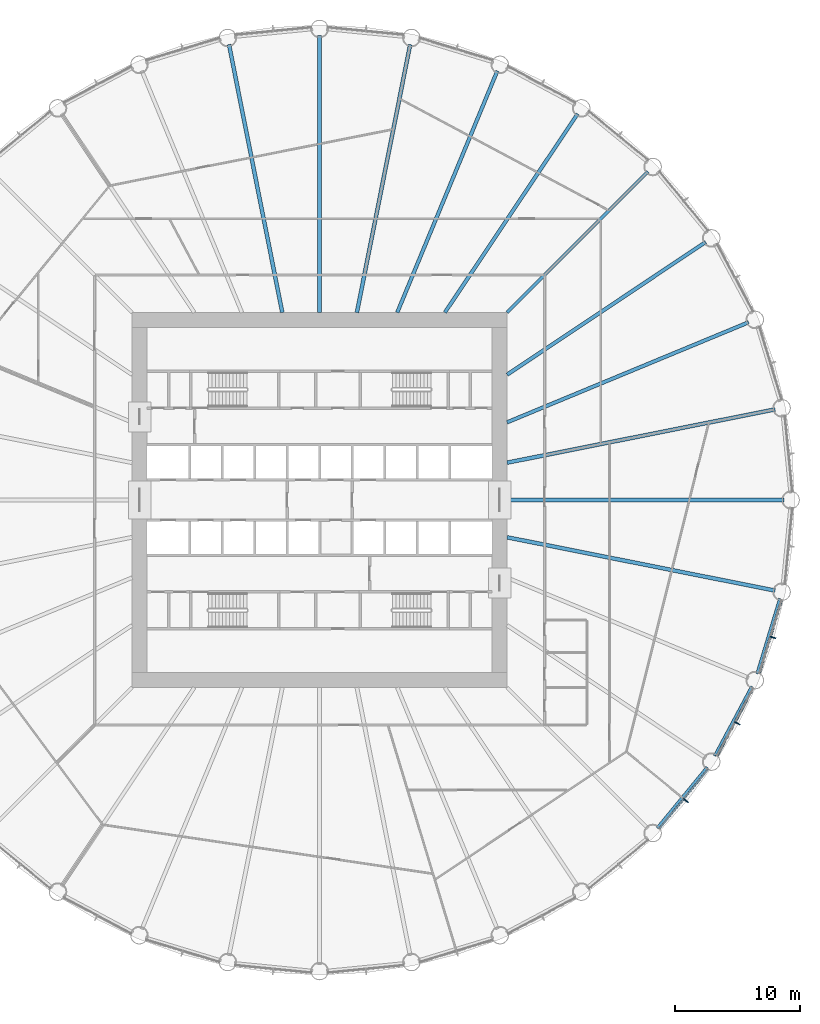
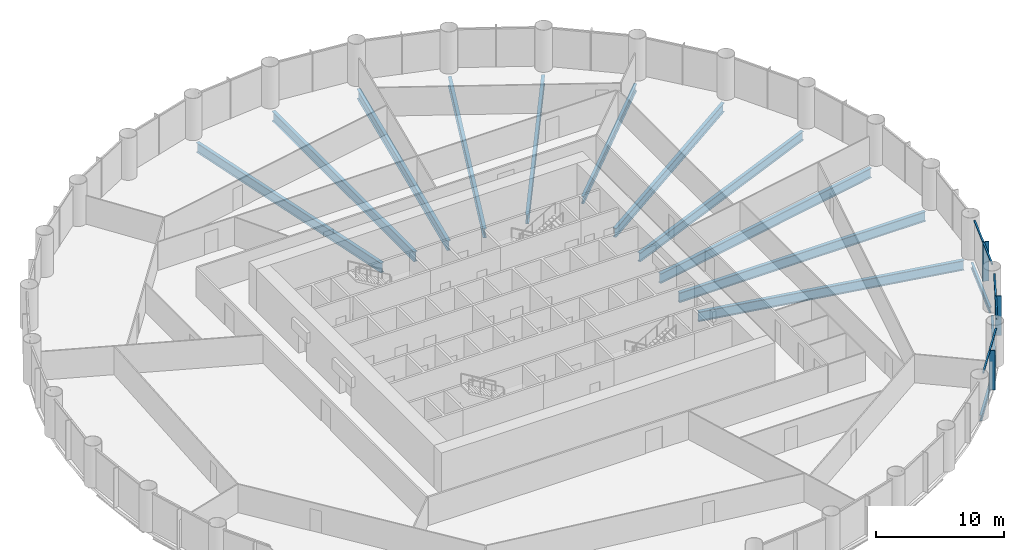
# One storey, part 5 of 15: 14 beams, 9 members, 3 elements without a shape of their own.
"""IFC4 building model written with IfcOpenShell, lengths in metres."""

from ifc_helpers import new_model, si_unit, direction, frame, origin, origin_2d, place, context, subcontext, project, spatial, rectangle, i_section, extrude, material, material_profile, profile_set, type_object, element, aggregate, save


model = new_model("IFC4")

# Units and contexts
model_context = context("Model", 3, precision=1e-05, world=origin(), true_north=direction((0.0, 1.0)))
body_context = subcontext(model_context, "Body", "Model", "MODEL_VIEW")
ifc_project = project(units=[si_unit("LENGTHUNIT", "METRE"), si_unit("AREAUNIT", "SQUARE_METRE"), si_unit("VOLUMEUNIT", "CUBIC_METRE"), si_unit("PLANEANGLEUNIT", "RADIAN"), si_unit("MASSUNIT", "GRAM", prefix="KILO")], contexts=[model_context])

# Site, building, storey
site_placement = place(None, origin())
site = spatial("IfcSite", under=ifc_project, at=site_placement, CompositionType="ELEMENT")
building_placement = place(site_placement, origin())
building = spatial("IfcBuilding", under=site, at=building_placement, Name="Corvane Civic Tower", CompositionType="ELEMENT")
storey_placement = place(building_placement, frame((0.0, 0.0, 73.0)))
storey = spatial("IfcBuildingStorey", under=building, at=storey_placement, Name="L16", CompositionType="ELEMENT", Elevation=73.0)

# Beams
ifc_material_1 = material(Name="Steel ASTM A992 Gr 50", Category="steel")
ifc_material_profile_1 = material_profile(ifc_material_1, i_section(OverallWidth=0.209228515625, OverallDepth=0.533447265625, WebThickness=0.01025390625, FlangeThickness=0.015625, at=origin_2d()), Name="W21X62")
ifc_profile_set_1 = profile_set([ifc_material_profile_1], Name="Steel ASTM A992 Gr 50")
beam_type_1 = type_object("IfcBeamType", Name="EDGE BEAM W21X62", PredefinedType="BEAM", material=ifc_profile_set_1)
for number, where, z_axis, x_axis, name in (
    (1, (36.81591796875, -7.88134765625, -0.566650390625), (-0.290273452184, -0.956943740748, 0.0), (0.956943740748, -0.290273452184, 0.0), "BM-L16-E10"),
    (2, (34.571044921875, -14.912353515625, -0.566650390625), (-0.471405897311, -0.881916367906, 0.0), (0.881916367906, -0.471405897311, 0.0), "BM-L16-E11"),
):
    element("IfcBeam", number, at=place(storey_placement, frame(where, z_axis=z_axis, x_axis=x_axis)), inside=storey, type_object=beam_type_1, Name=name, PredefinedType="BEAM", context=body_context, shape_type="SweptSolid", body=[
        extrude(i_section(OverallWidth=0.209228515625, OverallDepth=0.533447265625, WebThickness=0.01025390625, FlangeThickness=0.015625, at=origin_2d()), origin(), (0.0, 0.0, 1.0), 6.290283203125),
    ])
beam_1_placement = place(storey_placement, frame((30.99755859375, -21.3701171875, -0.566650390625), z_axis=(-0.634386787141, -0.773015785286, 0.0), x_axis=(0.773015785286, -0.634386787141, 0.0)))
element("IfcBeam", 3, at=beam_1_placement, inside=storey, type_object=beam_type_1, Name="BM-L16-E12", PredefinedType="BEAM", context=body_context, shape_type="SweptSolid", body=[
    extrude(i_section(OverallWidth=0.209228515625, OverallDepth=0.533447265625, WebThickness=0.01025390625, FlangeThickness=0.015625, at=origin_2d()), origin(), (0.0, 0.0, 1.0), 6.290771484375),
])
ifc_material_2 = material(Name="Steel ASTM A992 Gr 50", Category="steel")
ifc_material_profile_2 = material_profile(ifc_material_2, i_section(OverallWidth=0.256591796875, OverallDepth=0.693359375, WebThickness=0.014404296875, FlangeThickness=0.023681640625, at=origin_2d()), Name="W27X114")
ifc_profile_set_2 = profile_set([ifc_material_profile_2], Name="Steel ASTM A992 Gr 50")
beam_type_2 = type_object("IfcBeamType", Name="FLOOR GIRDER W27X114", PredefinedType="BEAM", material=ifc_profile_set_2)
beam_2_placement = place(storey_placement, frame((15.0, 15.0, -0.646728515625), z_axis=(0.707106781187, 0.707106781187, 0.0), x_axis=(-0.707106781187, 0.707106781187, 0.0)))
element("IfcBeam", 4, at=beam_2_placement, inside=storey, type_object=beam_type_2, Name="BM-L16-G05", PredefinedType="BEAM", context=body_context, shape_type="SweptSolid", body=[
    extrude(i_section(OverallWidth=0.256591796875, OverallDepth=0.693359375, WebThickness=0.014404296875, FlangeThickness=0.023681640625, at=origin_2d()), origin(), (0.0, 0.0, 1.0), 15.936767578125),
])
ifc_material_3 = material(Name="Steel ASTM A992 Gr 50", Category="steel")
ifc_material_profile_3 = material_profile(ifc_material_3, i_section(OverallWidth=0.2919921875, OverallDepth=0.8583984375, WebThickness=0.01708984375, FlangeThickness=0.031005859375, at=origin_2d()), Name="W33X169")
ifc_profile_set_3 = profile_set([ifc_material_profile_3], Name="Steel ASTM A992 Gr 50")
beam_type_3 = type_object("IfcBeamType", Name="FLOOR GIRDER W33X169", PredefinedType="BEAM", material=ifc_profile_set_3)
beam_3_placement = place(storey_placement, frame((6.213134765625, 15.0, -0.729248046875), z_axis=(0.382692360381, 0.923875834355, 0.0), x_axis=(-0.923875834355, 0.382692360381, 0.0)))
element("IfcBeam", 5, at=beam_3_placement, inside=storey, type_object=beam_type_3, Name="BM-L16-G03", PredefinedType="BEAM", context=body_context, shape_type="SweptSolid", body=[
    extrude(i_section(OverallWidth=0.2919921875, OverallDepth=0.8583984375, WebThickness=0.01708984375, FlangeThickness=0.031005859375, at=origin_2d()), origin(), (0.0, 0.0, 1.0), 20.9140625),
])
for number, where, z_axis, x_axis, name in (
    (6, (10.022705078125, 15.0, -0.729248046875), (0.555566681385, 0.831471985418, 0.0), (-0.831471985418, 0.555566681385, 0.0), "BM-L16-G04"),
    (7, (15.0, 10.022705078125, -0.729248046875), (0.831471985418, 0.555566681385, 0.0), (-0.555566681385, 0.831471985418, 0.0), "BM-L16-G06"),
):
    element("IfcBeam", number, at=place(storey_placement, frame(where, z_axis=z_axis, x_axis=x_axis)), inside=storey, type_object=beam_type_3, Name=name, PredefinedType="BEAM", context=body_context, shape_type="SweptSolid", body=[
        extrude(i_section(OverallWidth=0.2919921875, OverallDepth=0.8583984375, WebThickness=0.01708984375, FlangeThickness=0.031005859375, at=origin_2d()), origin(), (0.0, 0.0, 1.0), 19.109619140625),
    ])
beam_4_placement = place(storey_placement, frame((15.0, 6.213134765625, -0.729248046875), z_axis=(0.923875834355, 0.382692360381, 0.0), x_axis=(-0.382692360381, 0.923875834355, 0.0)))
element("IfcBeam", 8, at=beam_4_placement, inside=storey, type_object=beam_type_3, Name="BM-L16-G07", PredefinedType="BEAM", context=body_context, shape_type="SweptSolid", body=[
    extrude(i_section(OverallWidth=0.2919921875, OverallDepth=0.8583984375, WebThickness=0.01708984375, FlangeThickness=0.031005859375, at=origin_2d()), origin(), (0.0, 0.0, 1.0), 20.9140625),
])
ifc_material_4 = material(Name="Steel ASTM A992 Gr 50", Category="steel")
ifc_material_profile_4 = material_profile(ifc_material_4, i_section(OverallWidth=0.307373046875, OverallDepth=0.927001953125, WebThickness=0.01953125, FlangeThickness=0.031982421875, at=origin_2d()), Name="W36X194")
ifc_profile_set_4 = profile_set([ifc_material_profile_4], Name="Steel ASTM A992 Gr 50")
beam_type_4 = type_object("IfcBeamType", Name="FLOOR GIRDER W36X194", PredefinedType="BEAM", material=ifc_profile_set_4)
beam_5_placement = place(storey_placement, frame((0.0, 15.0, -0.763671875), z_axis=(0.0, 1.0, 0.0), x_axis=(-1.0, 0.0, 0.0)))
element("IfcBeam", 9, at=beam_5_placement, inside=storey, type_object=beam_type_4, Name="BM-L16-G01", PredefinedType="BEAM", context=body_context, shape_type="SweptSolid", body=[
    extrude(i_section(OverallWidth=0.307373046875, OverallDepth=0.927001953125, WebThickness=0.01953125, FlangeThickness=0.031982421875, at=origin_2d()), origin(), (0.0, 0.0, 1.0), 22.14990234375),
])
for number, where, z_axis, x_axis, name in (
    (10, (2.983642578125, 15.0, -0.763671875), (0.195089219638, 0.980785499679, 0.0), (-0.980785499679, 0.195089219638, 0.0), "BM-L16-G02"),
    (11, (15.0, 2.983642578125, -0.763671875), (0.980785499679, 0.195089219638, 0.0), (-0.195089219638, 0.980785499679, 0.0), "BM-L16-G08"),
):
    element("IfcBeam", number, at=place(storey_placement, frame(where, z_axis=z_axis, x_axis=x_axis)), inside=storey, type_object=beam_type_4, Name=name, PredefinedType="BEAM", context=body_context, shape_type="SweptSolid", body=[
        extrude(i_section(OverallWidth=0.307373046875, OverallDepth=0.927001953125, WebThickness=0.01953125, FlangeThickness=0.031982421875, at=origin_2d()), origin(), (0.0, 0.0, 1.0), 21.856201171875),
    ])
beam_6_placement = place(storey_placement, frame((15.0, 0.0, -0.763671875), z_axis=(1.0, 0.0, 0.0), x_axis=(0.0, 1.0, 0.0)))
element("IfcBeam", 12, at=beam_6_placement, inside=storey, type_object=beam_type_4, Name="BM-L16-G09", PredefinedType="BEAM", context=body_context, shape_type="SweptSolid", body=[
    extrude(i_section(OverallWidth=0.307373046875, OverallDepth=0.927001953125, WebThickness=0.01953125, FlangeThickness=0.031982421875, at=origin_2d()), origin(), (0.0, 0.0, 1.0), 22.14990234375),
])
for number, where, z_axis, x_axis, name in (
    (13, (15.0, -2.983642578125, -0.763671875), (0.980785499679, -0.195089219638, 0.0), (0.195089219638, 0.980785499679, 0.0), "BM-L16-G10"),
    (14, (-2.983642578125, 15.0, -0.763671875), (-0.195089219638, 0.980785499679, 0.0), (-0.980785499679, -0.195089219638, 0.0), "BM-L16-G32"),
):
    element("IfcBeam", number, at=place(storey_placement, frame(where, z_axis=z_axis, x_axis=x_axis)), inside=storey, type_object=beam_type_4, Name=name, PredefinedType="BEAM", context=body_context, shape_type="SweptSolid", body=[
        extrude(i_section(OverallWidth=0.307373046875, OverallDepth=0.927001953125, WebThickness=0.01953125, FlangeThickness=0.031982421875, at=origin_2d()), origin(), (0.0, 0.0, 1.0), 21.856201171875),
    ])

# Curtain wall, members
ifc_material_5 = material(Name="Anodised aluminium bronze", Category="aluminium")
curtain_wall_type = type_object("IfcCurtainWallType", Name="TOWER CW-T1 STICK CURTAIN WALL", PredefinedType="NOTDEFINED", material=ifc_material_5)
curtain_wall_1_placement = place(storey_placement, origin())
curtain_wall_1 = element("IfcCurtainWall", 15, at=curtain_wall_1_placement, inside=storey, type_object=curtain_wall_type, Name="Curtain wall CW-T1 L16 bay 10", PredefinedType="NOTDEFINED")
ifc_material_6 = material(Name="Anodised aluminium bronze", Category="aluminium")
ifc_material_profile_5 = material_profile(ifc_material_6, rectangle(XDim=0.139892578125, YDim=0.1201171875, at=origin_2d()), Name="TOWER CW-T1 TRANSOM 140x120")
ifc_profile_set_5 = profile_set([ifc_material_profile_5], Name="Anodised aluminium bronze")
member_type_1 = type_object("IfcMemberType", Name="TOWER CW-T1 TRANSOM 140x120", PredefinedType="USERDEFINED", material=ifc_profile_set_5)
member_1_placement = place(storey_placement, frame((36.959228515625, -8.02587890625, 3.68994140625), z_axis=(-0.290279914268, -0.956941780555, 0.0), x_axis=(0.956941780555, -0.290279914268, 0.0)))
member_1 = element("IfcMember", 16, at=member_1_placement, type_object=member_type_1, Name="Transom CW-T1 L16 10.1", ObjectType="TRANSOM", PredefinedType="USERDEFINED", context=body_context, shape_type="SweptSolid", body=[
    extrude(rectangle(XDim=0.139892578125, YDim=0.1201171875, at=origin_2d()), origin(), (0.0, 0.0, 1.0), 3.008544921875),
])
member_2_placement = place(storey_placement, frame((36.062744140625, -10.9814453125, 3.68994140625), z_axis=(-0.290279914268, -0.956941780555, 0.0), x_axis=(0.956941780555, -0.290279914268, 0.0)))
member_2 = element("IfcMember", 17, at=member_2_placement, type_object=member_type_1, Name="Transom CW-T1 L16 10.2", ObjectType="TRANSOM", PredefinedType="USERDEFINED", context=body_context, shape_type="SweptSolid", body=[
    extrude(rectangle(XDim=0.139892578125, YDim=0.1201171875, at=origin_2d()), origin(), (0.0, 0.0, 1.0), 3.008544921875),
])

curtain_wall_2_placement = place(storey_placement, origin())
curtain_wall_2 = element("IfcCurtainWall", 18, at=curtain_wall_2_placement, inside=storey, type_object=curtain_wall_type, Name="Curtain wall CW-T1 L16 bay 11", PredefinedType="NOTDEFINED")
member_3_placement = place(storey_placement, frame((34.683349609375, -15.08203125, 3.68994140625), z_axis=(-0.471392506424, -0.881923525532, 0.0), x_axis=(0.881923525532, -0.471392506424, 0.0)))
member_3 = element("IfcMember", 19, at=member_3_placement, type_object=member_type_1, Name="Transom CW-T1 L16 11.1", ObjectType="TRANSOM", PredefinedType="USERDEFINED", context=body_context, shape_type="SweptSolid", body=[
    extrude(rectangle(XDim=0.139892578125, YDim=0.1201171875, at=origin_2d()), origin(), (0.0, 0.0, 1.0), 3.008544921875),
])
member_4_placement = place(storey_placement, frame((33.2275390625, -17.805908203125, 3.68994140625), z_axis=(-0.471392506424, -0.881923525532, 0.0), x_axis=(0.881923525532, -0.471392506424, 0.0)))
member_4 = element("IfcMember", 20, at=member_4_placement, type_object=member_type_1, Name="Transom CW-T1 L16 11.2", ObjectType="TRANSOM", PredefinedType="USERDEFINED", context=body_context, shape_type="SweptSolid", body=[
    extrude(rectangle(XDim=0.139892578125, YDim=0.1201171875, at=origin_2d()), origin(), (0.0, 0.0, 1.0), 3.008544921875),
])

curtain_wall_3_placement = place(storey_placement, origin())
curtain_wall_3 = element("IfcCurtainWall", 21, at=curtain_wall_3_placement, inside=storey, type_object=curtain_wall_type, Name="Curtain wall CW-T1 L16 bay 12", PredefinedType="NOTDEFINED")
member_5_placement = place(storey_placement, frame((31.074462890625, -21.55859375, 3.68994140625), z_axis=(-0.634355161466, -0.773041738279, 0.0), x_axis=(0.773041738279, -0.634355161466, 0.0)))
member_5 = element("IfcMember", 22, at=member_5_placement, type_object=member_type_1, Name="Transom CW-T1 L16 12.1", ObjectType="TRANSOM", PredefinedType="USERDEFINED", context=body_context, shape_type="SweptSolid", body=[
    extrude(rectangle(XDim=0.139892578125, YDim=0.1201171875, at=origin_2d()), origin(), (0.0, 0.0, 1.0), 3.008544921875),
])
member_6_placement = place(storey_placement, frame((29.115234375, -23.946044921875, 3.68994140625), z_axis=(-0.634403652865, -0.773001943873, 0.0), x_axis=(0.773001943873, -0.634403652865, 0.0)))
member_6 = element("IfcMember", 23, at=member_6_placement, type_object=member_type_1, Name="Transom CW-T1 L16 12.2", ObjectType="TRANSOM", PredefinedType="USERDEFINED", context=body_context, shape_type="SweptSolid", body=[
    extrude(rectangle(XDim=0.139892578125, YDim=0.1201171875, at=origin_2d()), origin(), (0.0, 0.0, 1.0), 3.008544921875),
])

# Member
ifc_material_7 = material(Name="Anodised aluminium bronze", Category="aluminium")
ifc_material_profile_6 = material_profile(ifc_material_7, rectangle(XDim=0.080078125, YDim=0.5, at=origin_2d()), Name="TOWER FIN MULLION 80x500 BRONZE")
ifc_profile_set_6 = profile_set([ifc_material_profile_6], Name="Anodised aluminium bronze")
member_type_2 = type_object("IfcMemberType", Name="TOWER FIN MULLION 80x500 BRONZE", PredefinedType="MULLION", material=ifc_profile_set_6)
member_7_placement = place(storey_placement, frame((36.265625, -11.001220703125, 0.0), z_axis=(0.0, 0.0, 1.0), x_axis=(-0.290278397654, -0.956942240606, 0.0)))
member_7 = element("IfcMember", 24, at=member_7_placement, type_object=member_type_2, Name="Fin mullion 10 L16", PredefinedType="MULLION", context=body_context, shape_type="SweptSolid", body=[
    extrude(rectangle(XDim=0.080078125, YDim=0.5, at=origin_2d()), origin(), (0.0, 0.0, 1.0), 3.75),
])

aggregate(curtain_wall_1, [member_7, member_1, member_2])

member_8_placement = place(storey_placement, frame((33.422607421875, -17.86474609375, 0.0), z_axis=(0.0, 0.0, 1.0), x_axis=(-0.471403725359, -0.881917528864, 0.0)))
member_8 = element("IfcMember", 25, at=member_8_placement, type_object=member_type_2, Name="Fin mullion 11 L16", PredefinedType="MULLION", context=body_context, shape_type="SweptSolid", body=[
    extrude(rectangle(XDim=0.080078125, YDim=0.5, at=origin_2d()), origin(), (0.0, 0.0, 1.0), 3.75),
])

aggregate(curtain_wall_2, [member_8, member_3, member_4])

member_9_placement = place(storey_placement, frame((29.295166015625, -24.0419921875, 0.0), z_axis=(0.0, 0.0, 1.0), x_axis=(-0.634397218569, -0.773007224463, 0.0)))
member_9 = element("IfcMember", 26, at=member_9_placement, type_object=member_type_2, Name="Fin mullion 12 L16", PredefinedType="MULLION", context=body_context, shape_type="SweptSolid", body=[
    extrude(rectangle(XDim=0.080078125, YDim=0.5, at=origin_2d()), origin(), (0.0, 0.0, 1.0), 3.75),
])

aggregate(curtain_wall_3, [member_9, member_5, member_6])

save(model, "model.ifc")
